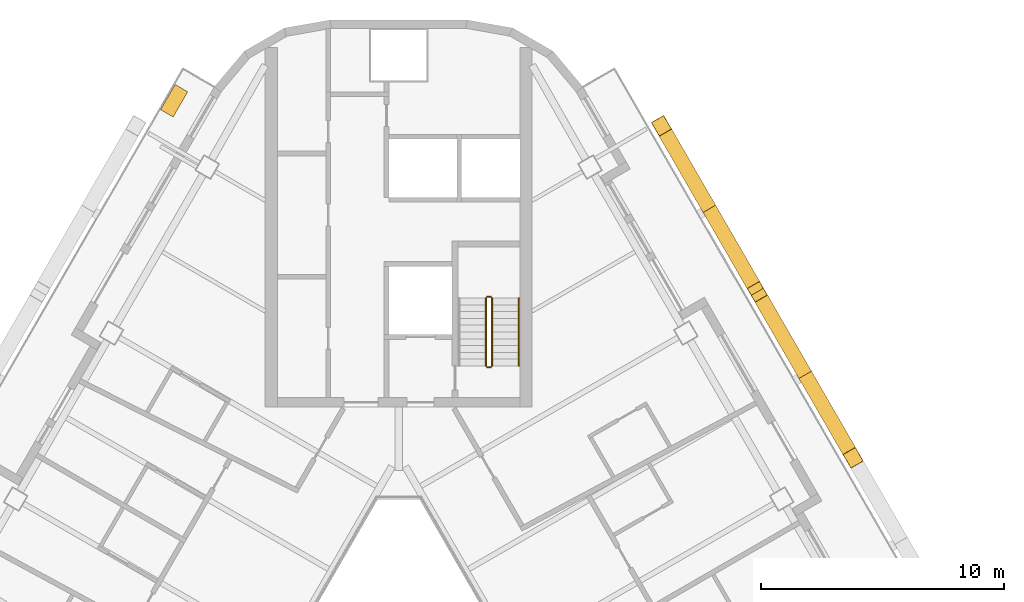
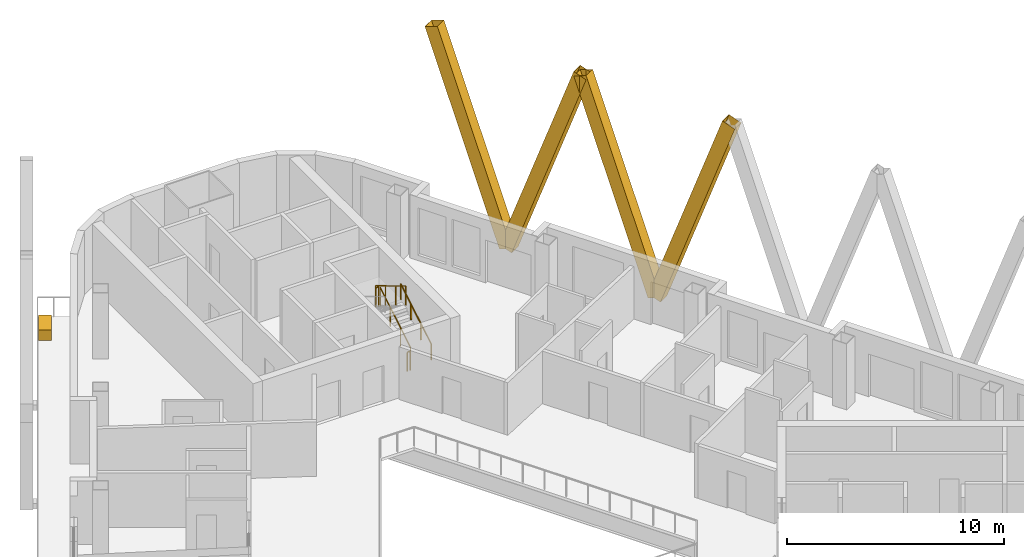
# One storey, part 14 of 14: 5 railings, 4 shading devices, 1 covering.
"""IFC4 building model written with IfcOpenShell, lengths in metres."""

from ifc_helpers import new_model, si_unit, direction, frame, origin, origin_2d, place, context, subcontext, project, spatial, rectangle, hollow_rectangle, circle, extrude, material, material_profile, profile_set, type_object, element, save


model = new_model("IFC4")

# Units and contexts
model_context = context("Model", 3, precision=1e-05, world=origin(), true_north=direction((0.0, 1.0)))
body_context = subcontext(model_context, "Body", "Model", "MODEL_VIEW")
ifc_project = project(units=[si_unit("LENGTHUNIT", "METRE"), si_unit("AREAUNIT", "SQUARE_METRE"), si_unit("VOLUMEUNIT", "CUBIC_METRE"), si_unit("PLANEANGLEUNIT", "RADIAN"), si_unit("MASSUNIT", "GRAM", prefix="KILO")], contexts=[model_context])

# Site, building, storey
site_placement = place(None, origin())
site = spatial("IfcSite", under=ifc_project, at=site_placement, CompositionType="ELEMENT")
building_placement = place(site_placement, origin())
building = spatial("IfcBuilding", under=site, at=building_placement, Name="Apuvela Tower Hotel", CompositionType="ELEMENT")
storey_placement = place(building_placement, frame((0.0, 0.0, 202.10009765625)))
storey = spatial("IfcBuildingStorey", under=building, at=storey_placement, Name="L49", CompositionType="ELEMENT", Elevation=202.10009765625)

# Railings
ifc_material_1 = material(Name="Steel S275 balustrade", Category="steel")
railing_type_1 = type_object("IfcRailingType", Name="COR-GUARD-1100", PredefinedType="GUARDRAIL", material=ifc_material_1)
railing_1_placement = place(storey_placement, frame((3.85009765625, 14.60009765625, 0.16796875)))
element("IfcRailing", 1, at=railing_1_placement, inside=storey, type_object=railing_type_1, Name="L49 ST1 stair guard 1", PredefinedType="GUARDRAIL", context=body_context, shape_type="SweptSolid", body=[
    extrude(rectangle(XDim=0.048095703125, YDim=0.048095703125, at=origin_2d()), frame((0.0, 0.0, 1.076171875), z_axis=(0.0, 0.857222391501, 0.514946377315), x_axis=(-1.0, 0.0, 0.0)), (0.0, 0.0, 1.0), 3.26611328125),
    extrude(rectangle(XDim=0.0419921875, YDim=0.0419921875, at=origin_2d()), origin(), (0.0, 0.0, 1.0), 1.052001953125),
    extrude(rectangle(XDim=0.0419921875, YDim=0.0419921875, at=origin_2d()), frame((0.0, 0.933349609375, 0.560546875)), (0.0, 0.0, 1.0), 1.052001953125),
    extrude(rectangle(XDim=0.0419921875, YDim=0.0419921875, at=origin_2d()), frame((0.0, 1.866455078125, 1.121337890625)), (0.0, 0.0, 1.0), 1.052001953125),
    extrude(rectangle(XDim=0.0419921875, YDim=0.0419921875, at=origin_2d()), frame((0.0, 2.7998046875, 1.681884765625)), (0.0, 0.0, 1.0), 1.052001953125),
])
railing_2_placement = place(storey_placement, frame((3.800048828125, 17.449951171875, 1.849853515625)))
element("IfcRailing", 2, at=railing_2_placement, inside=storey, type_object=railing_type_1, Name="L49 ST1 stair guard 2", PredefinedType="GUARDRAIL", context=body_context, shape_type="SweptSolid", body=[
    extrude(rectangle(XDim=0.048095703125, YDim=0.048095703125, at=origin_2d()), frame((0.0, 0.0, 1.076171875), z_axis=(-1.0, 0.0, 0.0), x_axis=(0.0, -1.0, 0.0)), (0.0, 0.0, 1.0), 0.150146484375),
    extrude(rectangle(XDim=0.0419921875, YDim=0.0419921875, at=origin_2d()), origin(), (0.0, 0.0, 1.0), 1.052001953125),
    extrude(rectangle(XDim=0.0419921875, YDim=0.0419921875, at=origin_2d()), frame((-0.150146484375, 0.0, 0.0)), (0.0, 0.0, 1.0), 1.052001953125),
])
railing_3_placement = place(storey_placement, frame((3.60009765625, 17.39990234375, 2.01806640625)))
element("IfcRailing", 3, at=railing_3_placement, inside=storey, type_object=railing_type_1, Name="L49 ST1 stair guard 3", PredefinedType="GUARDRAIL", context=body_context, shape_type="SweptSolid", body=[
    extrude(rectangle(XDim=0.048095703125, YDim=0.048095703125, at=origin_2d()), frame((0.0, 0.0, 1.076171875), z_axis=(0.0, -0.857222391501, 0.514946377315), x_axis=(1.0, 0.0, 0.0)), (0.0, 0.0, 1.0), 3.26611328125),
    extrude(rectangle(XDim=0.0419921875, YDim=0.0419921875, at=origin_2d()), origin(), (0.0, 0.0, 1.0), 1.052001953125),
    extrude(rectangle(XDim=0.0419921875, YDim=0.0419921875, at=origin_2d()), frame((0.0, -0.933349609375, 0.560546875)), (0.0, 0.0, 1.0), 1.052001953125),
    extrude(rectangle(XDim=0.0419921875, YDim=0.0419921875, at=origin_2d()), frame((0.0, -1.866455078125, 1.121337890625)), (0.0, 0.0, 1.0), 1.052001953125),
    extrude(rectangle(XDim=0.0419921875, YDim=0.0419921875, at=origin_2d()), frame((0.0, -2.7998046875, 1.681884765625)), (0.0, 0.0, 1.0), 1.052001953125),
])
railing_4_placement = place(storey_placement, frame((3.800048828125, 14.550048828125, 0.0)))
element("IfcRailing", 4, at=railing_4_placement, inside=storey, type_object=railing_type_1, Name="L49 ST1 stair guard 4", PredefinedType="GUARDRAIL", context=body_context, shape_type="SweptSolid", body=[
    extrude(rectangle(XDim=0.048095703125, YDim=0.048095703125, at=origin_2d()), frame((0.0, 0.0, 1.076171875), z_axis=(-1.0, 0.0, 0.0), x_axis=(0.0, -1.0, 0.0)), (0.0, 0.0, 1.0), 0.150146484375),
    extrude(rectangle(XDim=0.0419921875, YDim=0.0419921875, at=origin_2d()), origin(), (0.0, 0.0, 1.0), 1.052001953125),
    extrude(rectangle(XDim=0.0419921875, YDim=0.0419921875, at=origin_2d()), frame((-0.150146484375, 0.0, 0.0)), (0.0, 0.0, 1.0), 1.052001953125),
])
ifc_material_2 = material(Name="Stainless steel 316 handrail", Category="steel")
railing_type_2 = type_object("IfcRailingType", Name="COR-HANDRAIL-900", PredefinedType="HANDRAIL", material=ifc_material_2)
railing_5_placement = place(storey_placement, frame((4.949951171875, 14.60009765625, 0.16796875)))
element("IfcRailing", 5, at=railing_5_placement, inside=storey, type_object=railing_type_2, Name="L49 ST1 stair handrail 1", PredefinedType="HANDRAIL", context=body_context, shape_type="SweptSolid", body=[
    extrude(circle(Radius=0.02392578125, at=origin_2d()), frame((0.0, 0.0, 0.8759765625), z_axis=(0.0, 0.857222391501, 0.514946377315), x_axis=(-1.0, 0.0, 0.0)), (0.0, 0.0, 1.0), 3.26611328125),
    extrude(rectangle(XDim=0.0419921875, YDim=0.0419921875, at=origin_2d()), origin(), (0.0, 0.0, 1.0), 0.851806640625),
    extrude(rectangle(XDim=0.0419921875, YDim=0.0419921875, at=origin_2d()), frame((0.0, 0.933349609375, 0.560546875)), (0.0, 0.0, 1.0), 0.851806640625),
    extrude(rectangle(XDim=0.0419921875, YDim=0.0419921875, at=origin_2d()), frame((0.0, 1.866455078125, 1.121337890625)), (0.0, 0.0, 1.0), 0.851806640625),
    extrude(rectangle(XDim=0.0419921875, YDim=0.0419921875, at=origin_2d()), frame((0.0, 2.7998046875, 1.681884765625)), (0.0, 0.0, 1.0), 0.851806640625),
])

# Shading devices
ifc_material_3 = material(Name="Aluminium 6063-T6, black anodised", Category="aluminium")
ifc_material_profile = material_profile(ifc_material_3, hollow_rectangle(XDim=0.60009765625, YDim=0.699951171875, WallThickness=0.011962890625, at=origin_2d()), Name="AL BOX 700x600x12")
ifc_profile_set = profile_set([ifc_material_profile], Name="Aluminium 6063-T6, black anodised")
shading_device_type = type_object("IfcShadingDeviceType", Name="ENV-FIN-700x600", PredefinedType="USERDEFINED", material=ifc_profile_set)
for number, where, z_axis, x_axis, name in (
    (6, (16.757080078125, 14.23583984375, -0.10009765625), (0.1676367533, -0.290349343294, 0.942122697844), (0.866020906874, 0.500007788796, 0.0), "Lattice fin NE477"),
    (7, (16.757080078125, 14.23583984375, -0.10009765625), (-0.167637761855, 0.290330368522, 0.942128365943), (-0.866005453737, -0.500034552904, 0.0), "Lattice fin NE478"),
    (8, (12.80712890625, 21.077392578125, -0.10009765625), (0.167616614035, -0.290350351818, 0.942125970292), (0.866047669374, 0.499961432884, 0.0), "Lattice fin NE479"),
    (9, (12.80712890625, 21.077392578125, -0.10009765625), (-0.1676367533, 0.290349343294, 0.942122697844), (-0.866020906874, -0.500007788796, 0.0), "Lattice fin NE480"),
):
    element("IfcShadingDevice", number, at=place(storey_placement, frame(where, z_axis=z_axis, x_axis=x_axis)), inside=storey, type_object=shading_device_type, Name=name, ObjectType="FIN", PredefinedType="USERDEFINED", context=body_context, shape_type="SweptSolid", body=[
        extrude(hollow_rectangle(XDim=0.60009765625, YDim=0.699951171875, WallThickness=0.011962890625, at=origin_2d()), origin(), (0.0, 0.0, 1.0), 11.781982421875),
    ])

# Covering
ifc_material_4 = material(Name="Planting substrate and soil, planted")
covering_type = type_object("IfcCoveringType", Name="ENV-PLANTER-1200x600", PredefinedType="USERDEFINED", material=ifc_material_4)
covering_placement = place(storey_placement, frame((-9.253662109375, 25.5322265625, -0.000244140625), z_axis=(0.0, 0.0, 1.0), x_axis=(-0.5, -0.866025403784, 0.0)))
element("IfcCovering", 10, at=covering_placement, inside=storey, type_object=covering_type, Name="Planter NW4", ObjectType="PLANTER", PredefinedType="USERDEFINED", context=body_context, shape_type="SweptSolid", body=[
    extrude(rectangle(XDim=1.199951171875, YDim=0.60009765625, at=origin_2d()), origin(), (0.0, 0.0, 1.0), 0.60009765625),
])

save(model, "model.ifc")
